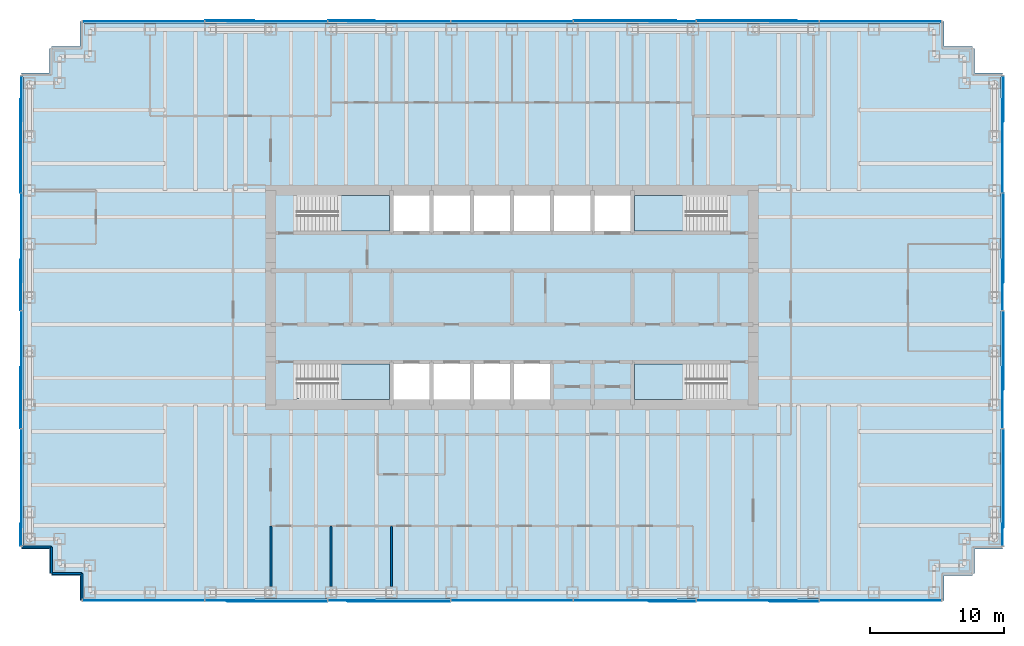
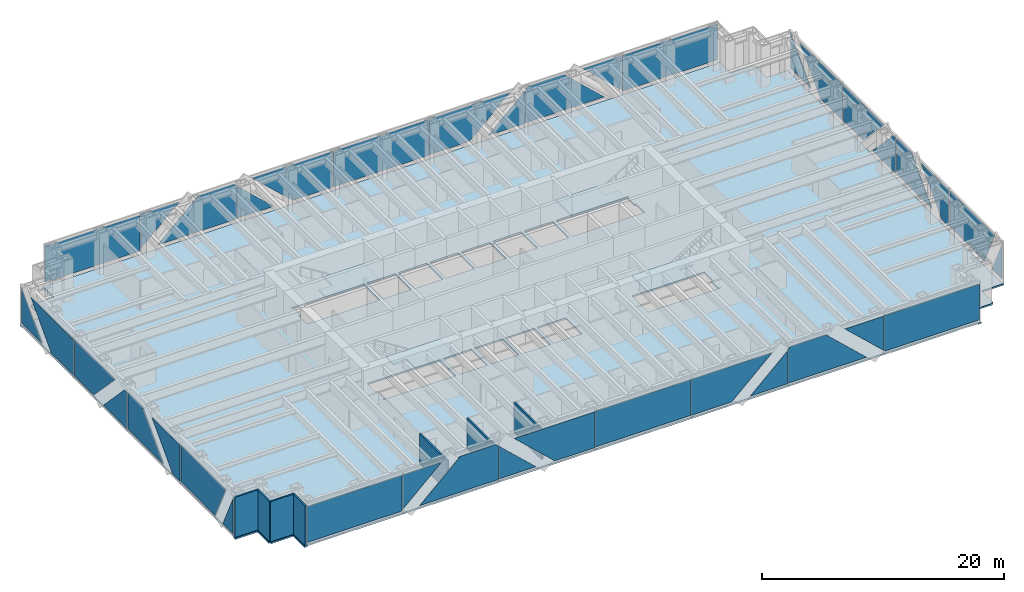
# One storey, part 9 of 14: 38 plates, 7 walls, 5 slabs, 8 elements without a shape of their own.
"""IFC4 building model written with IfcOpenShell, lengths in metres."""

from ifc_helpers import new_model, si_unit, direction, frame, frame_2d, origin, origin_2d, place, context, subcontext, project, spatial, polyline, rectangle, outline, extrude, material, layer, layer_set, type_object, element, aggregate, save


model = new_model("IFC4")

# Units and contexts
model_context = context("Model", 3, precision=1e-05, world=origin(), true_north=direction((0.0, 1.0)))
body_context = subcontext(model_context, "Body", "Model", "MODEL_VIEW")
ifc_project = project(units=[si_unit("LENGTHUNIT", "METRE"), si_unit("AREAUNIT", "SQUARE_METRE"), si_unit("VOLUMEUNIT", "CUBIC_METRE"), si_unit("PLANEANGLEUNIT", "RADIAN"), si_unit("MASSUNIT", "GRAM", prefix="KILO")], contexts=[model_context])

# Site, building, storey
site_placement = place(None, origin())
site = spatial("IfcSite", under=ifc_project, at=site_placement, CompositionType="ELEMENT")
building_placement = place(site_placement, origin())
building = spatial("IfcBuilding", under=site, at=building_placement, Name="Rheinbord Bourse Tower", CompositionType="ELEMENT")
storey_placement = place(building_placement, frame((0.0, 0.0, 194.199951171875)))
storey = spatial("IfcBuildingStorey", under=building, at=storey_placement, Name="L43", CompositionType="ELEMENT", Elevation=194.199951171875)

# Slab
ifc_material_1 = material(Name="Concrete C30/37", Category="concrete")
ifc_layer_1 = layer(ifc_material_1, 0.159912109375)
ifc_layer_set_1 = layer_set([ifc_layer_1], Name="COMPOSITE FLOOR SLAB 160")
slab_type_1 = type_object("IfcSlabType", Name="COMPOSITE FLOOR SLAB 160", PredefinedType="FLOOR", material=ifc_layer_set_1)
slab_1_placement = place(storey_placement, frame((0.0, 0.0, -0.159912109375)))
element("IfcSlab", 1, at=slab_1_placement, inside=storey, type_object=slab_type_1, Name="Floor slab L43", PredefinedType="FLOOR", context=body_context, shape_type="SweptSolid", body=[
    extrude(outline(polyline([(1.64990234375, 3.39990234375), (1.5, 3.39990234375), (1.5, 5.25), (-0.60009765625, 5.25), (-0.60009765625, 5.550048828125), (-0.5, 5.550048828125), (-0.5, 40.449951171875), (-0.60009765625, 40.449951171875), (-0.60009765625, 40.75), (1.5, 40.75), (1.5, 42.60009765625), (1.64990234375, 42.60009765625), (1.64990234375, 42.75), (3.75, 42.75), (3.75, 44.60009765625), (4.050048828125, 44.60009765625), (4.050048828125, 44.5), (67.949951171875, 44.5), (67.949951171875, 44.60009765625), (68.25, 44.60009765625), (68.25, 42.75), (70.35009765625, 42.75), (70.35009765625, 42.60009765625), (70.5, 42.60009765625), (70.5, 40.75), (72.60009765625, 40.75), (72.60009765625, 40.449951171875), (72.5, 40.449951171875), (72.5, 5.550048828125), (72.60009765625, 5.550048828125), (72.60009765625, 5.25), (70.5, 5.25), (70.5, 3.39990234375), (70.35009765625, 3.39990234375), (70.35009765625, 3.25), (68.25, 3.25), (68.25, 1.39990234375), (67.949951171875, 1.39990234375), (67.949951171875, 1.5), (4.050048828125, 1.5), (4.050048828125, 1.39990234375), (3.75, 1.39990234375), (3.75, 3.25), (1.64990234375, 3.25), (1.64990234375, 3.39990234375)]), holes=[polyline([(19.949951171875, 19.050048828125), (26.85009765625, 19.050048828125), (26.85009765625, 16.39990234375), (19.949951171875, 16.39990234375), (19.949951171875, 16.449951171875), (20.10009765625, 16.449951171875), (20.10009765625, 17.64990234375), (19.949951171875, 17.64990234375), (19.949951171875, 19.050048828125)]), polyline([(19.949951171875, 31.60009765625), (26.85009765625, 31.60009765625), (26.85009765625, 28.949951171875), (19.949951171875, 28.949951171875), (19.949951171875, 30.35009765625), (20.10009765625, 30.35009765625), (20.10009765625, 31.550048828125), (19.949951171875, 31.550048828125), (19.949951171875, 31.60009765625)]), polyline([(52.050048828125, 16.39990234375), (45.14990234375, 16.39990234375), (45.14990234375, 19.050048828125), (52.050048828125, 19.050048828125), (52.050048828125, 17.64990234375), (51.89990234375, 17.64990234375), (51.89990234375, 16.449951171875), (52.050048828125, 16.449951171875), (52.050048828125, 16.39990234375)]), polyline([(52.050048828125, 28.949951171875), (45.14990234375, 28.949951171875), (45.14990234375, 31.60009765625), (52.050048828125, 31.60009765625), (52.050048828125, 31.550048828125), (51.89990234375, 31.550048828125), (51.89990234375, 30.35009765625), (52.050048828125, 30.35009765625), (52.050048828125, 28.949951171875)]), polyline([(27.14990234375, 16.39990234375), (27.14990234375, 19.050048828125), (29.85009765625, 19.050048828125), (29.85009765625, 16.39990234375), (27.14990234375, 16.39990234375)]), polyline([(27.14990234375, 28.949951171875), (27.14990234375, 31.60009765625), (29.85009765625, 31.60009765625), (29.85009765625, 28.949951171875), (27.14990234375, 28.949951171875)]), polyline([(30.14990234375, 16.39990234375), (30.14990234375, 19.050048828125), (32.85009765625, 19.050048828125), (32.85009765625, 16.39990234375), (30.14990234375, 16.39990234375)]), polyline([(30.14990234375, 28.949951171875), (30.14990234375, 31.60009765625), (32.85009765625, 31.60009765625), (32.85009765625, 28.949951171875), (30.14990234375, 28.949951171875)]), polyline([(33.14990234375, 16.39990234375), (33.14990234375, 19.050048828125), (35.85009765625, 19.050048828125), (35.85009765625, 16.39990234375), (33.14990234375, 16.39990234375)]), polyline([(33.14990234375, 28.949951171875), (33.14990234375, 31.60009765625), (35.85009765625, 31.60009765625), (35.85009765625, 28.949951171875), (33.14990234375, 28.949951171875)]), polyline([(36.14990234375, 16.39990234375), (36.14990234375, 19.050048828125), (38.85009765625, 19.050048828125), (38.85009765625, 16.39990234375), (36.14990234375, 16.39990234375)]), polyline([(36.14990234375, 28.949951171875), (36.14990234375, 31.60009765625), (38.85009765625, 31.60009765625), (38.85009765625, 28.949951171875), (36.14990234375, 28.949951171875)]), polyline([(39.14990234375, 28.949951171875), (39.14990234375, 31.60009765625), (41.85009765625, 31.60009765625), (41.85009765625, 28.949951171875), (39.14990234375, 28.949951171875)]), polyline([(42.14990234375, 28.949951171875), (42.14990234375, 31.60009765625), (44.85009765625, 31.60009765625), (44.85009765625, 28.949951171875), (42.14990234375, 28.949951171875)])]), origin(), (0.0, 0.0, 1.0), 0.159912109375),
])

# Curtain wall, plates
ifc_material_2 = material(Name="Dark glass and black aluminium", Category="aluminium")
curtain_wall_type = type_object("IfcCurtainWallType", Name="CW2 DARK GLASS CURTAIN WALL", PredefinedType="USERDEFINED", material=ifc_material_2)
curtain_wall_1_placement = place(storey_placement, origin())
curtain_wall_1 = element("IfcCurtainWall", 2, at=curtain_wall_1_placement, inside=storey, type_object=curtain_wall_type, Name="Curtain wall CW2 S L43", ObjectType="UNITISED CURTAIN WALL", PredefinedType="USERDEFINED")
ifc_material_3 = material(Name="Dark tinted triple insulating glass", Category="glass")
ifc_layer_2 = layer(ifc_material_3, 0.050048828125)
ifc_layer_set_2 = layer_set([ifc_layer_2], Name="CW2 DARK GLASS PANEL")
plate_type = type_object("IfcPlateType", Name="CW2 DARK GLASS PANEL", PredefinedType="CURTAIN_PANEL", material=ifc_layer_set_2)
plate_1_placement = place(storey_placement, frame((36.0, 1.39990234375, 0.300048828125), z_axis=(0.0, 0.0, 1.0), x_axis=(1.0, 0.0, 0.0)))
plate_1 = element("IfcPlate", 3, at=plate_1_placement, type_object=plate_type, Name="CW2 panel 4.1", PredefinedType="CURTAIN_PANEL", context=body_context, shape_type="SweptSolid", body=[
    extrude(rectangle(XDim=9.101318359375, YDim=0.050048828125, at=origin_2d()), origin(), (0.0, 0.0, 1.0), 3.60009765625),
])
plate_2_placement = place(storey_placement, frame((3.969970703125, 1.375, 0.300048828125), z_axis=(0.0, 1.0, 0.0), x_axis=(0.0, 0.0, 1.0)))
plate_2 = element("IfcPlate", 4, at=plate_2_placement, type_object=plate_type, Name="CW2 glass facet 1", PredefinedType="CURTAIN_PANEL", context=body_context, shape_type="SweptSolid", body=[
    extrude(outline(polyline([(0.0, 0.0), (3.60009765625, 0.0), (3.60009765625, 9.06591796875), (0.094970703125, 9.06591796875), (0.0, 8.965087890625), (0.0, 0.0)])), origin(), (0.0, 0.0, 1.0), 0.050048828125),
])
plate_3_placement = place(storey_placement, frame((13.10595703125, 1.375, 3.900146484375), z_axis=(0.0, 1.0, 0.0), x_axis=(1.0, 0.0, 0.0)))
plate_3 = element("IfcPlate", 5, at=plate_3_placement, type_object=plate_type, Name="CW2 glass facet 1", PredefinedType="CURTAIN_PANEL", context=body_context, shape_type="SweptSolid", body=[
    extrude(outline(polyline([(0.0, 0.0), (3.68603515625, 0.0), (0.0, 3.440185546875), (0.0, 0.0)])), origin(), (0.0, 0.0, 1.0), 0.050048828125),
])
plate_4_placement = place(storey_placement, frame((22.2080078125, 1.31982421875, 0.300048828125), z_axis=(0.0, 1.0, 0.0), x_axis=(-1.0, 0.0, 0.0)))
plate_4 = element("IfcPlate", 6, at=plate_4_placement, type_object=plate_type, Name="CW2 glass facet 2", PredefinedType="CURTAIN_PANEL", context=body_context, shape_type="SweptSolid", body=[
    extrude(outline(polyline([(0.0, 0.0), (7.5, 0.0), (3.64306640625, 3.60009765625), (0.27294921875, 3.60009765625), (0.0, 3.344970703125), (0.0, 0.0)])), origin(), (0.0, 0.0, 1.0), 0.050048828125),
])
plate_5_placement = place(storey_placement, frame((22.278076171875, 1.375, 0.300048828125), z_axis=(0.0, 1.0, 0.0), x_axis=(0.0, 0.0, 1.0)))
plate_5 = element("IfcPlate", 7, at=plate_5_placement, type_object=plate_type, Name="CW2 glass facet 1", PredefinedType="CURTAIN_PANEL", context=body_context, shape_type="SweptSolid", body=[
    extrude(outline(polyline([(0.0, 0.0), (3.280029296875, 0.0), (0.0, 3.513916015625), (0.0, 0.0)])), origin(), (0.0, 0.0, 1.0), 0.050048828125),
])
plate_6_placement = place(storey_placement, frame((31.37890625, 1.31982421875, 3.900146484375), z_axis=(0.0, 1.0, 0.0), x_axis=(0.0, 0.0, -1.0)))
plate_6 = element("IfcPlate", 8, at=plate_6_placement, type_object=plate_type, Name="CW2 glass facet 2", PredefinedType="CURTAIN_PANEL", context=body_context, shape_type="SweptSolid", body=[
    extrude(outline(polyline([(0.0, 0.0), (3.60009765625, 0.0), (3.60009765625, 3.81396484375), (0.0, 7.6708984375), (0.0, 0.0)])), origin(), (0.0, 0.0, 1.0), 0.050048828125),
])
plate_7_placement = place(storey_placement, frame((40.62109375, 1.375, 0.300048828125), z_axis=(0.0, 1.0, 0.0), x_axis=(0.0, 0.0, 1.0)))
plate_7 = element("IfcPlate", 9, at=plate_7_placement, type_object=plate_type, Name="CW2 glass facet 1", PredefinedType="CURTAIN_PANEL", context=body_context, shape_type="SweptSolid", body=[
    extrude(outline(polyline([(0.0, 0.0), (3.60009765625, 0.0), (3.60009765625, 7.6708984375), (0.0, 3.81396484375), (0.0, 0.0)])), origin(), (0.0, 0.0, 1.0), 0.050048828125),
])
plate_8_placement = place(storey_placement, frame((49.721923828125, 1.31982421875, 0.300048828125), z_axis=(0.0, 1.0, 0.0), x_axis=(-1.0, 0.0, 0.0)))
plate_8 = element("IfcPlate", 10, at=plate_8_placement, type_object=plate_type, Name="CW2 glass facet 2", PredefinedType="CURTAIN_PANEL", context=body_context, shape_type="SweptSolid", body=[
    extrude(outline(polyline([(0.0, 0.0), (3.513916015625, 0.0), (0.0, 3.280029296875), (0.0, 0.0)])), origin(), (0.0, 0.0, 1.0), 0.050048828125),
])
plate_9_placement = place(storey_placement, frame((49.7919921875, 1.375, 0.300048828125), z_axis=(0.0, 1.0, 0.0), x_axis=(0.0, 0.0, 1.0)))
plate_9 = element("IfcPlate", 11, at=plate_9_placement, type_object=plate_type, Name="CW2 glass facet 1", PredefinedType="CURTAIN_PANEL", context=body_context, shape_type="SweptSolid", body=[
    extrude(outline(polyline([(0.0, 0.0), (3.344970703125, 0.0), (3.60009765625, 0.27294921875), (3.60009765625, 3.64306640625), (0.0, 7.5), (0.0, 0.0)])), origin(), (0.0, 0.0, 1.0), 0.050048828125),
])
plate_10_placement = place(storey_placement, frame((58.89404296875, 1.31982421875, 3.900146484375), z_axis=(0.0, 1.0, 0.0), x_axis=(0.0, 0.0, -1.0)))
plate_10 = element("IfcPlate", 12, at=plate_10_placement, type_object=plate_type, Name="CW2 glass facet 2", PredefinedType="CURTAIN_PANEL", context=body_context, shape_type="SweptSolid", body=[
    extrude(outline(polyline([(0.0, 0.0), (3.440185546875, 0.0), (0.0, 3.68603515625), (0.0, 0.0)])), origin(), (0.0, 0.0, 1.0), 0.050048828125),
])
plate_11_placement = place(storey_placement, frame((58.964111328125, 1.375, 3.900146484375), z_axis=(0.0, 1.0, 0.0), x_axis=(1.0, 0.0, 0.0)))
plate_11 = element("IfcPlate", 13, at=plate_11_placement, type_object=plate_type, Name="CW2 glass facet 1", PredefinedType="CURTAIN_PANEL", context=body_context, shape_type="SweptSolid", body=[
    extrude(outline(polyline([(0.0, 0.0), (9.06591796875, 0.0), (9.06591796875, 3.60009765625), (0.100830078125, 3.60009765625), (0.0, 3.505126953125), (0.0, 0.0)])), origin(), (0.0, 0.0, 1.0), 0.050048828125),
])
aggregate(curtain_wall_1, [plate_1, plate_2, plate_3, plate_4, plate_5, plate_6, plate_7, plate_8, plate_9, plate_10, plate_11])

curtain_wall_2_placement = place(storey_placement, origin())
curtain_wall_2 = element("IfcCurtainWall", 14, at=curtain_wall_2_placement, inside=storey, type_object=curtain_wall_type, Name="Curtain wall CW2 E L43", ObjectType="UNITISED CURTAIN WALL", PredefinedType="USERDEFINED")
plate_12_placement = place(storey_placement, frame((72.625, 5.469970703125, 0.300048828125), z_axis=(-1.0, 0.0, 0.0), x_axis=(0.0, 0.0, 1.0)))
plate_12 = element("IfcPlate", 15, at=plate_12_placement, type_object=plate_type, Name="CW2 glass facet 1", PredefinedType="CURTAIN_PANEL", context=body_context, shape_type="SweptSolid", body=[
    extrude(outline(polyline([(0.0, 0.0), (3.60009765625, 0.0), (3.60009765625, 0.0029296875), (0.0, 1.717041015625), (0.0, 0.0)])), origin(), (0.0, 0.0, 1.0), 0.050048828125),
])
plate_13_placement = place(storey_placement, frame((72.68017578125, 14.1650390625, 3.900146484375), z_axis=(-1.0, 0.0, 0.0), x_axis=(0.0, 0.0, -1.0)))
plate_13 = element("IfcPlate", 16, at=plate_13_placement, type_object=plate_type, Name="CW2 glass facet 2", PredefinedType="CURTAIN_PANEL", context=body_context, shape_type="SweptSolid", body=[
    extrude(outline(polyline([(0.0, 0.0), (3.60009765625, 0.0), (3.60009765625, 5.637939453125), (0.0, 7.35205078125), (0.0, 0.0)])), origin(), (0.0, 0.0, 1.0), 0.050048828125),
])
plate_14_placement = place(storey_placement, frame((72.625, 14.235107421875, 0.300048828125), z_axis=(-1.0, 0.0, 0.0), x_axis=(0.0, 0.0, 1.0)))
plate_14 = element("IfcPlate", 17, at=plate_14_placement, type_object=plate_type, Name="CW2 glass facet 1", PredefinedType="CURTAIN_PANEL", context=body_context, shape_type="SweptSolid", body=[
    extrude(outline(polyline([(0.0, 0.0), (3.60009765625, 0.0), (3.60009765625, 4.643798828125), (0.0, 1.21484375), (0.0, 0.0)])), origin(), (0.0, 0.0, 1.0), 0.050048828125),
])
plate_15_placement = place(storey_placement, frame((72.68017578125, 22.965087890625, 3.900146484375), z_axis=(-1.0, 0.0, 0.0), x_axis=(0.0, 0.0, -1.0)))
plate_15 = element("IfcPlate", 18, at=plate_15_placement, type_object=plate_type, Name="CW2 glass facet 2", PredefinedType="CURTAIN_PANEL", context=body_context, shape_type="SweptSolid", body=[
    extrude(outline(polyline([(0.0, 0.0), (3.60009765625, 0.0), (3.60009765625, 5.843994140625), (0.0, 2.4150390625), (0.0, 0.0)])), origin(), (0.0, 0.0, 1.0), 0.050048828125),
])
plate_16_placement = place(storey_placement, frame((72.625, 23.034912109375, 0.300048828125), z_axis=(-1.0, 0.0, 0.0), x_axis=(0.0, 0.0, 1.0)))
plate_16 = element("IfcPlate", 19, at=plate_16_placement, type_object=plate_type, Name="CW2 glass facet 1", PredefinedType="CURTAIN_PANEL", context=body_context, shape_type="SweptSolid", body=[
    extrude(outline(polyline([(0.0, 0.0), (3.60009765625, 0.0), (3.60009765625, 0.4150390625), (0.0, 3.843994140625), (0.0, 0.0)])), origin(), (0.0, 0.0, 1.0), 0.050048828125),
])
plate_17_placement = place(storey_placement, frame((72.68017578125, 31.764892578125, 3.900146484375), z_axis=(-1.0, 0.0, 0.0), x_axis=(0.0, 0.0, -1.0)))
plate_17 = element("IfcPlate", 20, at=plate_17_placement, type_object=plate_type, Name="CW2 glass facet 2", PredefinedType="CURTAIN_PANEL", context=body_context, shape_type="SweptSolid", body=[
    extrude(outline(polyline([(0.0, 0.0), (3.60009765625, 0.0), (3.60009765625, 3.21484375), (0.0, 6.643798828125), (0.0, 0.0)])), origin(), (0.0, 0.0, 1.0), 0.050048828125),
])
plate_18_placement = place(storey_placement, frame((72.625, 31.8349609375, 0.300048828125), z_axis=(-1.0, 0.0, 0.0), x_axis=(0.0, 0.0, 1.0)))
plate_18 = element("IfcPlate", 21, at=plate_18_placement, type_object=plate_type, Name="CW2 glass facet 1", PredefinedType="CURTAIN_PANEL", context=body_context, shape_type="SweptSolid", body=[
    extrude(outline(polyline([(0.0, 0.0), (3.60009765625, 0.0), (3.60009765625, 7.0439453125), (0.0, 3.614990234375), (0.0, 0.0)])), origin(), (0.0, 0.0, 1.0), 0.050048828125),
])
plate_19_placement = place(storey_placement, frame((72.68017578125, 40.530029296875, 0.300048828125), z_axis=(-1.0, 0.0, 0.0), x_axis=(0.0, -1.0, 0.0)))
plate_19 = element("IfcPlate", 22, at=plate_19_placement, type_object=plate_type, Name="CW2 glass facet 2", PredefinedType="CURTAIN_PANEL", context=body_context, shape_type="SweptSolid", body=[
    extrude(outline(polyline([(0.0, 0.0), (3.408935546875, 0.0), (0.0, 3.5791015625), (0.0, 0.0)])), origin(), (0.0, 0.0, 1.0), 0.050048828125),
])
aggregate(curtain_wall_2, [plate_12, plate_13, plate_14, plate_15, plate_16, plate_17, plate_18, plate_19])

curtain_wall_3_placement = place(storey_placement, origin())
curtain_wall_3 = element("IfcCurtainWall", 23, at=curtain_wall_3_placement, inside=storey, type_object=curtain_wall_type, Name="Curtain wall CW2 N L43", ObjectType="UNITISED CURTAIN WALL", PredefinedType="USERDEFINED")
plate_20_placement = place(storey_placement, frame((36.0, 44.60009765625, 0.300048828125), z_axis=(0.0, 0.0, 1.0), x_axis=(-1.0, 0.0, 0.0)))
plate_20 = element("IfcPlate", 24, at=plate_20_placement, type_object=plate_type, Name="CW2 panel 4.1", PredefinedType="CURTAIN_PANEL", context=body_context, shape_type="SweptSolid", body=[
    extrude(rectangle(XDim=9.101318359375, YDim=0.050048828125, at=origin_2d()), origin(), (0.0, 0.0, 1.0), 3.60009765625),
])
plate_21_placement = place(storey_placement, frame((68.030029296875, 44.625, 0.300048828125), z_axis=(0.0, -1.0, 0.0), x_axis=(0.0, 0.0, 1.0)))
plate_21 = element("IfcPlate", 25, at=plate_21_placement, type_object=plate_type, Name="CW2 glass facet 1", PredefinedType="CURTAIN_PANEL", context=body_context, shape_type="SweptSolid", body=[
    extrude(outline(polyline([(0.0, 0.0), (3.60009765625, 0.0), (3.60009765625, 9.06591796875), (0.094970703125, 9.06591796875), (0.0, 8.965087890625), (0.0, 0.0)])), origin(), (0.0, 0.0, 1.0), 0.050048828125),
])
plate_22_placement = place(storey_placement, frame((58.89404296875, 44.625, 3.900146484375), z_axis=(0.0, -1.0, 0.0), x_axis=(-1.0, 0.0, 0.0)))
plate_22 = element("IfcPlate", 26, at=plate_22_placement, type_object=plate_type, Name="CW2 glass facet 1", PredefinedType="CURTAIN_PANEL", context=body_context, shape_type="SweptSolid", body=[
    extrude(outline(polyline([(0.0, 0.0), (3.68603515625, 0.0), (0.0, 3.440185546875), (0.0, 0.0)])), origin(), (0.0, 0.0, 1.0), 0.050048828125),
])
plate_23_placement = place(storey_placement, frame((49.7919921875, 44.68017578125, 0.300048828125), z_axis=(0.0, -1.0, 0.0), x_axis=(1.0, 0.0, 0.0)))
plate_23 = element("IfcPlate", 27, at=plate_23_placement, type_object=plate_type, Name="CW2 glass facet 2", PredefinedType="CURTAIN_PANEL", context=body_context, shape_type="SweptSolid", body=[
    extrude(outline(polyline([(0.0, 0.0), (7.5, 0.0), (3.64306640625, 3.60009765625), (0.27294921875, 3.60009765625), (0.0, 3.344970703125), (0.0, 0.0)])), origin(), (0.0, 0.0, 1.0), 0.050048828125),
])
plate_24_placement = place(storey_placement, frame((49.721923828125, 44.625, 0.300048828125), z_axis=(0.0, -1.0, 0.0), x_axis=(0.0, 0.0, 1.0)))
plate_24 = element("IfcPlate", 28, at=plate_24_placement, type_object=plate_type, Name="CW2 glass facet 1", PredefinedType="CURTAIN_PANEL", context=body_context, shape_type="SweptSolid", body=[
    extrude(outline(polyline([(0.0, 0.0), (3.280029296875, 0.0), (0.0, 3.513916015625), (0.0, 0.0)])), origin(), (0.0, 0.0, 1.0), 0.050048828125),
])
plate_25_placement = place(storey_placement, frame((40.62109375, 44.68017578125, 3.900146484375), z_axis=(0.0, -1.0, 0.0), x_axis=(0.0, 0.0, -1.0)))
plate_25 = element("IfcPlate", 29, at=plate_25_placement, type_object=plate_type, Name="CW2 glass facet 2", PredefinedType="CURTAIN_PANEL", context=body_context, shape_type="SweptSolid", body=[
    extrude(outline(polyline([(0.0, 0.0), (3.60009765625, 0.0), (3.60009765625, 3.81396484375), (0.0, 7.6708984375), (0.0, 0.0)])), origin(), (0.0, 0.0, 1.0), 0.050048828125),
])
plate_26_placement = place(storey_placement, frame((31.37890625, 44.625, 0.300048828125), z_axis=(0.0, -1.0, 0.0), x_axis=(0.0, 0.0, 1.0)))
plate_26 = element("IfcPlate", 30, at=plate_26_placement, type_object=plate_type, Name="CW2 glass facet 1", PredefinedType="CURTAIN_PANEL", context=body_context, shape_type="SweptSolid", body=[
    extrude(outline(polyline([(0.0, 0.0), (3.60009765625, 0.0), (3.60009765625, 7.6708984375), (0.0, 3.81396484375), (0.0, 0.0)])), origin(), (0.0, 0.0, 1.0), 0.050048828125),
])
plate_27_placement = place(storey_placement, frame((22.278076171875, 44.68017578125, 0.300048828125), z_axis=(0.0, -1.0, 0.0), x_axis=(1.0, 0.0, 0.0)))
plate_27 = element("IfcPlate", 31, at=plate_27_placement, type_object=plate_type, Name="CW2 glass facet 2", PredefinedType="CURTAIN_PANEL", context=body_context, shape_type="SweptSolid", body=[
    extrude(outline(polyline([(0.0, 0.0), (3.513916015625, 0.0), (0.0, 3.280029296875), (0.0, 0.0)])), origin(), (0.0, 0.0, 1.0), 0.050048828125),
])
plate_28_placement = place(storey_placement, frame((22.2080078125, 44.625, 0.300048828125), z_axis=(0.0, -1.0, 0.0), x_axis=(0.0, 0.0, 1.0)))
plate_28 = element("IfcPlate", 32, at=plate_28_placement, type_object=plate_type, Name="CW2 glass facet 1", PredefinedType="CURTAIN_PANEL", context=body_context, shape_type="SweptSolid", body=[
    extrude(outline(polyline([(0.0, 0.0), (3.344970703125, 0.0), (3.60009765625, 0.27294921875), (3.60009765625, 3.64306640625), (0.0, 7.5), (0.0, 0.0)])), origin(), (0.0, 0.0, 1.0), 0.050048828125),
])
plate_29_placement = place(storey_placement, frame((13.10595703125, 44.68017578125, 3.900146484375), z_axis=(0.0, -1.0, 0.0), x_axis=(0.0, 0.0, -1.0)))
plate_29 = element("IfcPlate", 33, at=plate_29_placement, type_object=plate_type, Name="CW2 glass facet 2", PredefinedType="CURTAIN_PANEL", context=body_context, shape_type="SweptSolid", body=[
    extrude(outline(polyline([(0.0, 0.0), (3.440185546875, 0.0), (0.0, 3.68603515625), (0.0, 0.0)])), origin(), (0.0, 0.0, 1.0), 0.050048828125),
])
plate_30_placement = place(storey_placement, frame((13.035888671875, 44.625, 3.900146484375), z_axis=(0.0, -1.0, 0.0), x_axis=(-1.0, 0.0, 0.0)))
plate_30 = element("IfcPlate", 34, at=plate_30_placement, type_object=plate_type, Name="CW2 glass facet 1", PredefinedType="CURTAIN_PANEL", context=body_context, shape_type="SweptSolid", body=[
    extrude(outline(polyline([(0.0, 0.0), (9.06591796875, 0.0), (9.06591796875, 3.60009765625), (0.100830078125, 3.60009765625), (0.0, 3.505126953125), (0.0, 0.0)])), origin(), (0.0, 0.0, 1.0), 0.050048828125),
])
aggregate(curtain_wall_3, [plate_20, plate_21, plate_22, plate_23, plate_24, plate_25, plate_26, plate_27, plate_28, plate_29, plate_30])

curtain_wall_4_placement = place(storey_placement, origin())
curtain_wall_4 = element("IfcCurtainWall", 35, at=curtain_wall_4_placement, inside=storey, type_object=curtain_wall_type, Name="Curtain wall CW2 W L43", ObjectType="UNITISED CURTAIN WALL", PredefinedType="USERDEFINED")
plate_31_placement = place(storey_placement, frame((-0.625, 40.530029296875, 0.300048828125), z_axis=(1.0, 0.0, 0.0), x_axis=(0.0, 0.0, 1.0)))
plate_31 = element("IfcPlate", 36, at=plate_31_placement, type_object=plate_type, Name="CW2 glass facet 1", PredefinedType="CURTAIN_PANEL", context=body_context, shape_type="SweptSolid", body=[
    extrude(outline(polyline([(0.0, 0.0), (3.5791015625, 0.0), (0.0, 3.408935546875), (0.0, 0.0)])), origin(), (0.0, 0.0, 1.0), 0.050048828125),
])
plate_32_placement = place(storey_placement, frame((-0.68017578125, 31.8349609375, 3.900146484375), z_axis=(1.0, 0.0, 0.0), x_axis=(0.0, 0.0, -1.0)))
plate_32 = element("IfcPlate", 37, at=plate_32_placement, type_object=plate_type, Name="CW2 glass facet 2", PredefinedType="CURTAIN_PANEL", context=body_context, shape_type="SweptSolid", body=[
    extrude(outline(polyline([(0.0, 0.0), (3.60009765625, 0.0), (3.60009765625, 3.614990234375), (0.0, 7.0439453125), (0.0, 0.0)])), origin(), (0.0, 0.0, 1.0), 0.050048828125),
])
plate_33_placement = place(storey_placement, frame((-0.625, 31.764892578125, 0.300048828125), z_axis=(1.0, 0.0, 0.0), x_axis=(0.0, 0.0, 1.0)))
plate_33 = element("IfcPlate", 38, at=plate_33_placement, type_object=plate_type, Name="CW2 glass facet 1", PredefinedType="CURTAIN_PANEL", context=body_context, shape_type="SweptSolid", body=[
    extrude(outline(polyline([(0.0, 0.0), (3.60009765625, 0.0), (3.60009765625, 6.643798828125), (0.0, 3.21484375), (0.0, 0.0)])), origin(), (0.0, 0.0, 1.0), 0.050048828125),
])
plate_34_placement = place(storey_placement, frame((-0.68017578125, 23.034912109375, 3.900146484375), z_axis=(1.0, 0.0, 0.0), x_axis=(0.0, 0.0, -1.0)))
plate_34 = element("IfcPlate", 39, at=plate_34_placement, type_object=plate_type, Name="CW2 glass facet 2", PredefinedType="CURTAIN_PANEL", context=body_context, shape_type="SweptSolid", body=[
    extrude(outline(polyline([(0.0, 0.0), (3.60009765625, 0.0), (3.60009765625, 3.843994140625), (0.0, 0.4150390625), (0.0, 0.0)])), origin(), (0.0, 0.0, 1.0), 0.050048828125),
])
plate_35_placement = place(storey_placement, frame((-0.625, 22.965087890625, 0.300048828125), z_axis=(1.0, 0.0, 0.0), x_axis=(0.0, 0.0, 1.0)))
plate_35 = element("IfcPlate", 40, at=plate_35_placement, type_object=plate_type, Name="CW2 glass facet 1", PredefinedType="CURTAIN_PANEL", context=body_context, shape_type="SweptSolid", body=[
    extrude(outline(polyline([(0.0, 0.0), (3.60009765625, 0.0), (3.60009765625, 2.4150390625), (0.0, 5.843994140625), (0.0, 0.0)])), origin(), (0.0, 0.0, 1.0), 0.050048828125),
])
plate_36_placement = place(storey_placement, frame((-0.68017578125, 14.235107421875, 3.900146484375), z_axis=(1.0, 0.0, 0.0), x_axis=(0.0, 0.0, -1.0)))
plate_36 = element("IfcPlate", 41, at=plate_36_placement, type_object=plate_type, Name="CW2 glass facet 2", PredefinedType="CURTAIN_PANEL", context=body_context, shape_type="SweptSolid", body=[
    extrude(outline(polyline([(0.0, 0.0), (3.60009765625, 0.0), (3.60009765625, 1.21484375), (0.0, 4.643798828125), (0.0, 0.0)])), origin(), (0.0, 0.0, 1.0), 0.050048828125),
])
plate_37_placement = place(storey_placement, frame((-0.625, 14.1650390625, 0.300048828125), z_axis=(1.0, 0.0, 0.0), x_axis=(0.0, 0.0, 1.0)))
plate_37 = element("IfcPlate", 42, at=plate_37_placement, type_object=plate_type, Name="CW2 glass facet 1", PredefinedType="CURTAIN_PANEL", context=body_context, shape_type="SweptSolid", body=[
    extrude(outline(polyline([(0.0, 0.0), (3.60009765625, 0.0), (3.60009765625, 7.35205078125), (0.0, 5.637939453125), (0.0, 0.0)])), origin(), (0.0, 0.0, 1.0), 0.050048828125),
])
plate_38_placement = place(storey_placement, frame((-0.68017578125, 5.469970703125, 3.900146484375), z_axis=(1.0, 0.0, 0.0), x_axis=(0.0, 0.0, -1.0)))
plate_38 = element("IfcPlate", 43, at=plate_38_placement, type_object=plate_type, Name="CW2 glass facet 2", PredefinedType="CURTAIN_PANEL", context=body_context, shape_type="SweptSolid", body=[
    extrude(outline(polyline([(0.0, 0.0), (3.60009765625, 0.0), (3.60009765625, 1.717041015625), (0.0, 0.0029296875), (0.0, 0.0)])), origin(), (0.0, 0.0, 1.0), 0.050048828125),
])
aggregate(curtain_wall_4, [plate_31, plate_32, plate_33, plate_34, plate_35, plate_36, plate_37, plate_38])

# Stair, slab
ifc_material_4 = material(Name="Concrete C30/37", Category="concrete")
stair_type = type_object("IfcStairType", Name="CORE STAIR HALF TURN 4200", PredefinedType="HALF_TURN_STAIR", material=ifc_material_4)
stair_1_placement = place(storey_placement, origin())
stair_1 = element("IfcStair", 44, at=stair_1_placement, inside=storey, type_object=stair_type, Name="Stair ST1 L43, type CS6", PredefinedType="HALF_TURN_STAIR")
ifc_material_5 = material(Name="Concrete C30/37", Category="concrete")
ifc_layer_3 = layer(ifc_material_5, 0.199951171875)
ifc_layer_set_3 = layer_set([ifc_layer_3], Name="STAIR LANDING 200")
slab_type_2 = type_object("IfcSlabType", Name="STAIR LANDING 200", PredefinedType="LANDING", material=ifc_layer_set_3)
slab_2_placement = place(storey_placement, frame((0.0, 0.0, 1.900146484375)))
slab_2 = element("IfcSlab", 45, at=slab_2_placement, type_object=slab_type_2, Name="Half landing ST1 L43", PredefinedType="LANDING", context=body_context, shape_type="SweptSolid", body=[
    extrude(outline(polyline([(23.030029296875, 16.39990234375), (26.85009765625, 16.39990234375), (26.85009765625, 19.050048828125), (21.748046875, 19.050048828125), (21.748046875, 17.85009765625), (23.030029296875, 17.85009765625), (23.030029296875, 16.39990234375)])), origin(), (0.0, 0.0, 1.0), 0.199951171875),
])
aggregate(stair_1, [slab_2])

stair_2_placement = place(storey_placement, origin())
stair_2 = element("IfcStair", 46, at=stair_2_placement, inside=storey, type_object=stair_type, Name="Stair ST2 L43, type CS6", PredefinedType="HALF_TURN_STAIR")
slab_3_placement = place(storey_placement, frame((0.0, 0.0, 1.900146484375)))
slab_3 = element("IfcSlab", 47, at=slab_3_placement, type_object=slab_type_2, Name="Half landing ST2 L43", PredefinedType="LANDING", context=body_context, shape_type="SweptSolid", body=[
    extrude(outline(polyline([(21.748046875, 28.949951171875), (26.85009765625, 28.949951171875), (26.85009765625, 31.60009765625), (23.030029296875, 31.60009765625), (23.030029296875, 30.14990234375), (21.748046875, 30.14990234375), (21.748046875, 28.949951171875)])), origin(), (0.0, 0.0, 1.0), 0.199951171875),
])
aggregate(stair_2, [slab_3])

stair_3_placement = place(storey_placement, origin())
stair_3 = element("IfcStair", 48, at=stair_3_placement, inside=storey, type_object=stair_type, Name="Stair ST3 L43, type CS6", PredefinedType="HALF_TURN_STAIR")
slab_4_placement = place(storey_placement, frame((0.0, 0.0, 1.900146484375)))
slab_4 = element("IfcSlab", 49, at=slab_4_placement, type_object=slab_type_2, Name="Half landing ST3 L43", PredefinedType="LANDING", context=body_context, shape_type="SweptSolid", body=[
    extrude(outline(polyline([(45.14990234375, 16.39990234375), (48.969970703125, 16.39990234375), (48.969970703125, 17.85009765625), (50.251953125, 17.85009765625), (50.251953125, 19.050048828125), (45.14990234375, 19.050048828125), (45.14990234375, 16.39990234375)])), origin(), (0.0, 0.0, 1.0), 0.199951171875),
])
aggregate(stair_3, [slab_4])

stair_4_placement = place(storey_placement, origin())
stair_4 = element("IfcStair", 50, at=stair_4_placement, inside=storey, type_object=stair_type, Name="Stair ST4 L43, type CS6", PredefinedType="HALF_TURN_STAIR")
slab_5_placement = place(storey_placement, frame((0.0, 0.0, 1.900146484375)))
slab_5 = element("IfcSlab", 51, at=slab_5_placement, type_object=slab_type_2, Name="Half landing ST4 L43", PredefinedType="LANDING", context=body_context, shape_type="SweptSolid", body=[
    extrude(outline(polyline([(45.14990234375, 28.949951171875), (50.251953125, 28.949951171875), (50.251953125, 30.14990234375), (48.969970703125, 30.14990234375), (48.969970703125, 31.60009765625), (45.14990234375, 31.60009765625), (45.14990234375, 28.949951171875)])), origin(), (0.0, 0.0, 1.0), 0.199951171875),
])
aggregate(stair_4, [slab_5])

# Walls
ifc_material_6 = material(Name="Black metal rainscreen panel", Category="aluminium")
ifc_layer_4 = layer(ifc_material_6, 0.14990234375)
ifc_layer_set_4 = layer_set([ifc_layer_4], Name="CORNER PIER CLADDING 150")
wall_type_1 = type_object("IfcWallType", Name="CORNER PIER CLADDING 150", PredefinedType="ELEMENTEDWALL", material=ifc_layer_set_4)
wall_1_placement = place(storey_placement, frame((-0.60009765625, 5.39990234375, 0.0), z_axis=(0.0, 0.0, 1.0), x_axis=(1.0, 0.0, 0.0)))
element("IfcWall", 52, at=wall_1_placement, inside=storey, type_object=wall_type_1, Name="Corner pier cladding L43 17", PredefinedType="ELEMENTEDWALL", context=body_context, shape_type="SweptSolid", body=[
    extrude(rectangle(XDim=2.25, YDim=0.14990234375, at=frame_2d((1.125, 0.0))), origin(), (0.0, 0.0, 1.0), 4.0400390625),
])
wall_2_placement = place(storey_placement, frame((1.64990234375, 5.39990234375, 0.0), z_axis=(0.0, 0.0, 1.0), x_axis=(0.0, -1.0, 0.0)))
element("IfcWall", 53, at=wall_2_placement, inside=storey, type_object=wall_type_1, Name="Corner pier cladding L43 18", PredefinedType="ELEMENTEDWALL", context=body_context, shape_type="SweptSolid", body=[
    extrude(rectangle(XDim=2.0, YDim=0.14990234375, at=frame_2d((1.0, 0.0))), origin(), (0.0, 0.0, 1.0), 4.0400390625),
])
wall_3_placement = place(storey_placement, frame((1.64990234375, 3.39990234375, 0.0), z_axis=(0.0, 0.0, 1.0), x_axis=(1.0, 0.0, 0.0)))
element("IfcWall", 54, at=wall_3_placement, inside=storey, type_object=wall_type_1, Name="Corner pier cladding L43 19", PredefinedType="ELEMENTEDWALL", context=body_context, shape_type="SweptSolid", body=[
    extrude(rectangle(XDim=2.25, YDim=0.14990234375, at=frame_2d((1.125, 0.0))), origin(), (0.0, 0.0, 1.0), 4.0400390625),
])
wall_4_placement = place(storey_placement, frame((3.89990234375, 3.39990234375, 0.0), z_axis=(0.0, 0.0, 1.0), x_axis=(0.0, -1.0, 0.0)))
element("IfcWall", 55, at=wall_4_placement, inside=storey, type_object=wall_type_1, Name="Corner pier cladding L43 20", PredefinedType="ELEMENTEDWALL", context=body_context, shape_type="SweptSolid", body=[
    extrude(rectangle(XDim=2.0, YDim=0.14990234375, at=frame_2d((1.0, 0.0))), origin(), (0.0, 0.0, 1.0), 4.0400390625),
])
ifc_material_7 = material(Name="Gypsum board partition", Category="gypsum board")
ifc_layer_5 = layer(ifc_material_7, 0.14990234375)
ifc_layer_set_5 = layer_set([ifc_layer_5], Name="PARTITION 150")
wall_type_2 = type_object("IfcWallType", Name="PARTITION 150", PredefinedType="PARTITIONING", material=ifc_layer_set_5)
for number, where, z_axis, x_axis, name in (
    (56, (18.0, 2.449951171875, 0.0), (0.0, 0.0, 1.0), (0.0, 1.0, 0.0), "Partition L43-18"),
    (57, (22.5, 2.449951171875, 0.0), (0.0, 0.0, 1.0), (0.0, 1.0, 0.0), "Partition L43-21"),
    (58, (27.0, 2.449951171875, 0.0), (0.0, 0.0, 1.0), (0.0, 1.0, 0.0), "Partition L43-24"),
):
    element("IfcWall", number, at=place(storey_placement, frame(where, z_axis=z_axis, x_axis=x_axis)), inside=storey, type_object=wall_type_2, Name=name, PredefinedType="PARTITIONING", context=body_context, shape_type="SweptSolid", body=[
        extrude(rectangle(XDim=4.5, YDim=0.14990234375, at=frame_2d((2.25, 0.0))), origin(), (0.0, 0.0, 1.0), 3.0),
    ])

save(model, "model.ifc")
